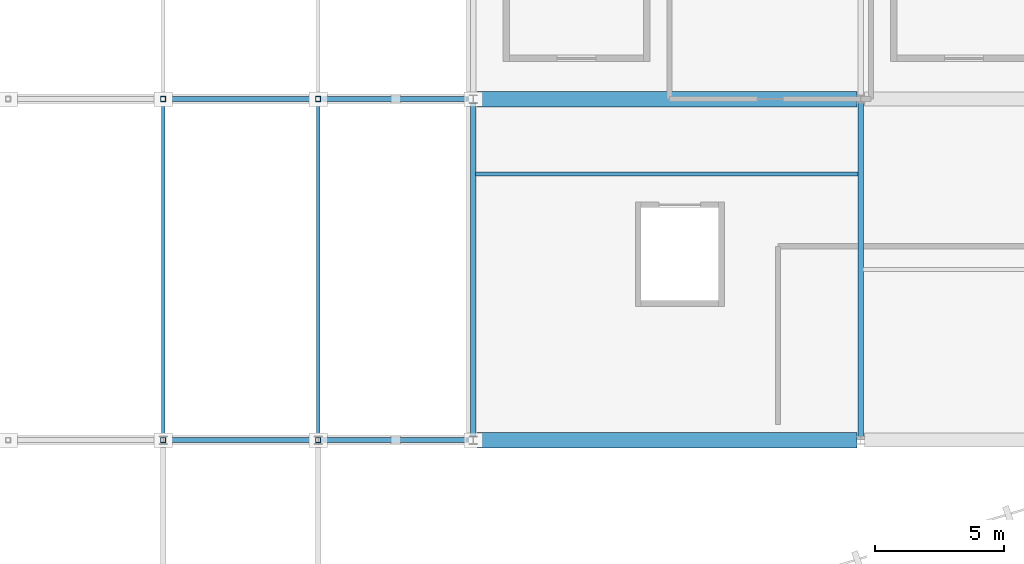
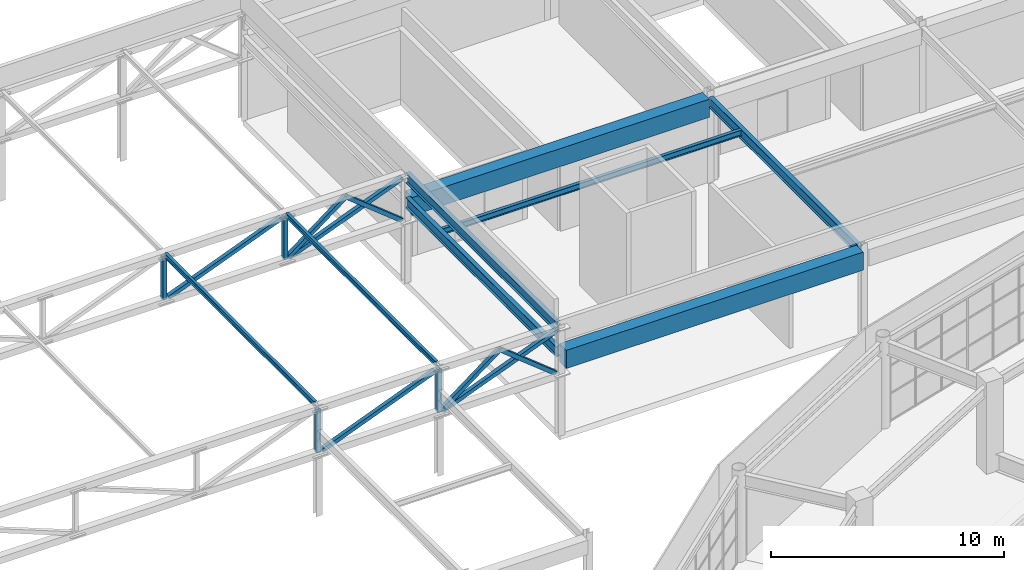
# One storey, part 54 of 122: 14 members, 6 beams.
"""IFC4 building model written with IfcOpenShell, lengths in metres."""

from ifc_helpers import new_model, si_unit, direction, frame, origin, origin_2d, place, context, subcontext, project, spatial, rectangle, hollow_rectangle, i_section, extrude, material, material_profile, profile_set, type_object, element, save


model = new_model("IFC4")

# Units and contexts
model_context = context("Model", 3, precision=1e-05, world=origin(), true_north=direction((0.0, 1.0)))
body_context = subcontext(model_context, "Body", "Model", "MODEL_VIEW")
ifc_project = project(units=[si_unit("LENGTHUNIT", "METRE"), si_unit("AREAUNIT", "SQUARE_METRE"), si_unit("VOLUMEUNIT", "CUBIC_METRE"), si_unit("PLANEANGLEUNIT", "RADIAN"), si_unit("MASSUNIT", "GRAM", prefix="KILO")], contexts=[model_context])

# Site, building, storey
site_placement = place(None, origin())
site = spatial("IfcSite", under=ifc_project, at=site_placement, CompositionType="ELEMENT")
building_placement = place(site_placement, origin())
building = spatial("IfcBuilding", under=site, at=building_placement, Name="Cuetzalor Civic Arena", CompositionType="ELEMENT")
storey_placement = place(building_placement, frame((0.0, 0.0, 16.199951171875)))
storey = spatial("IfcBuildingStorey", under=building, at=storey_placement, Name="L03", CompositionType="ELEMENT", Elevation=16.199951171875)

# Beams
ifc_material_1 = material(Name="Concrete C40/50", Category="concrete")
ifc_material_profile_1 = material_profile(ifc_material_1, rectangle(XDim=0.60009765625, YDim=0.949951171875, at=origin_2d()), Name="RC 600x950")
ifc_profile_set_1 = profile_set([ifc_material_profile_1], Name="Concrete C40/50")
beam_type_1 = type_object("IfcBeamType", Name="ConcreteFrameBeam_600x950", PredefinedType="BEAM", material=ifc_profile_set_1)
for number, where, z_axis, x_axis, name in (
    (1, (-35.857421875, 48.300048828125, 4.025146484375), (1.0, 0.0, 0.0), (0.0, 1.0, 0.0), "Frame Girder V5-L03-X1031"),
    (2, (-35.857421875, 61.5, 4.025146484375), (1.0, 0.0, 0.0), (0.0, 1.0, 0.0), "Frame Girder V5-L03-X1041"),
):
    element("IfcBeam", number, at=place(storey_placement, frame(where, z_axis=z_axis, x_axis=x_axis)), inside=storey, type_object=beam_type_1, Name=name, PredefinedType="BEAM", context=body_context, shape_type="SweptSolid", body=[
        extrude(rectangle(XDim=0.60009765625, YDim=0.949951171875, at=origin_2d()), origin(), (0.0, 0.0, 1.0), 14.71484375),
    ])

# Members
ifc_material_2 = material(Name="Steel S355", Category="steel")
ifc_material_profile_2 = material_profile(ifc_material_2, hollow_rectangle(XDim=0.199951171875, YDim=0.199951171875, WallThickness=0.010009765625, at=origin_2d()), Name="RHS 200x200x10")
ifc_profile_set_2 = profile_set([ifc_material_profile_2], Name="Steel S355")
member_type_1 = type_object("IfcMemberType", Name="PrattTrussWeb_RHS200", PredefinedType="STRUT", material=ifc_profile_set_2)
for number, where, z_axis, x_axis, name in (
    (3, (-47.800048828125, 48.300048828125, 3.300048828125), (0.930756425373, 0.0, 0.365639818164), (0.0, 1.0, 0.0), "Practice Court Pratt Diagonal T1-5"),
    (4, (-41.800048828125, 48.300048828125, 3.300048828125), (0.930756425373, 0.0, 0.365639818164), (0.0, 1.0, 0.0), "Practice Court Pratt Diagonal T1-6"),
):
    element("IfcMember", number, at=place(storey_placement, frame(where, z_axis=z_axis, x_axis=x_axis)), inside=storey, type_object=member_type_1, Name=name, PredefinedType="STRUT", context=body_context, shape_type="SweptSolid", body=[
        extrude(hollow_rectangle(XDim=0.199951171875, YDim=0.199951171875, WallThickness=0.010009765625, at=origin_2d()), origin(), (0.0, 0.0, 1.0), 6.0166015625),
    ])
for number, where, z_axis, x_axis, name in (
    (5, (-48.0, 48.300048828125, 3.280029296875), (0.0, 0.0, 1.0), (1.0, 0.0, 0.0), "Practice Court Pratt Vertical T1-4"),
    (6, (-42.0, 48.300048828125, 3.280029296875), (0.0, 0.0, 1.0), (1.0, 0.0, 0.0), "Practice Court Pratt Vertical T1-5"),
):
    element("IfcMember", number, at=place(storey_placement, frame(where, z_axis=z_axis, x_axis=x_axis)), inside=storey, type_object=member_type_1, Name=name, PredefinedType="STRUT", context=body_context, shape_type="SweptSolid", body=[
        extrude(hollow_rectangle(XDim=0.199951171875, YDim=0.199951171875, WallThickness=0.010009765625, at=origin_2d()), origin(), (0.0, 0.0, 1.0), 2.239990234375),
    ])
member_1_placement = place(storey_placement, frame((-41.89990234375, 48.300048828125, 3.300048828125), z_axis=(0.796687929917, 0.0, 0.604390885375), x_axis=(0.0, 1.0, 0.0)))
element("IfcMember", 7, at=member_1_placement, inside=storey, type_object=member_type_1, Name="Practice Court Truss End Raking Strut T1-3", PredefinedType="STRUT", context=body_context, shape_type="SweptSolid", body=[
    extrude(hollow_rectangle(XDim=0.199951171875, YDim=0.199951171875, WallThickness=0.010009765625, at=origin_2d()), origin(), (0.0, 0.0, 1.0), 3.639892578125),
])
member_2_placement = place(storey_placement, frame((-39.0, 48.300048828125, 5.5), z_axis=(0.780875572801, 0.0, -0.624686593263), x_axis=(0.0, 1.0, 0.0)))
element("IfcMember", 8, at=member_2_placement, inside=storey, type_object=member_type_1, Name="Practice Court Truss End Raking Strut T1-4", PredefinedType="STRUT", context=body_context, shape_type="SweptSolid", body=[
    extrude(hollow_rectangle(XDim=0.199951171875, YDim=0.199951171875, WallThickness=0.010009765625, at=origin_2d()), origin(), (0.0, 0.0, 1.0), 3.521728515625),
])
for number, where, z_axis, x_axis, name in (
    (9, (-47.800048828125, 61.5, 3.300048828125), (0.930756425373, 0.0, 0.365639818164), (0.0, 1.0, 0.0), "Practice Court Pratt Diagonal T2-5"),
    (10, (-41.800048828125, 61.5, 3.300048828125), (0.930756425373, 0.0, 0.365639818164), (0.0, 1.0, 0.0), "Practice Court Pratt Diagonal T2-6"),
):
    element("IfcMember", number, at=place(storey_placement, frame(where, z_axis=z_axis, x_axis=x_axis)), inside=storey, type_object=member_type_1, Name=name, PredefinedType="STRUT", context=body_context, shape_type="SweptSolid", body=[
        extrude(hollow_rectangle(XDim=0.199951171875, YDim=0.199951171875, WallThickness=0.010009765625, at=origin_2d()), origin(), (0.0, 0.0, 1.0), 6.0166015625),
    ])
for number, where, z_axis, x_axis, name in (
    (11, (-48.0, 61.5, 3.280029296875), (0.0, 0.0, 1.0), (1.0, 0.0, 0.0), "Practice Court Pratt Vertical T2-4"),
    (12, (-42.0, 61.5, 3.280029296875), (0.0, 0.0, 1.0), (1.0, 0.0, 0.0), "Practice Court Pratt Vertical T2-5"),
):
    element("IfcMember", number, at=place(storey_placement, frame(where, z_axis=z_axis, x_axis=x_axis)), inside=storey, type_object=member_type_1, Name=name, PredefinedType="STRUT", context=body_context, shape_type="SweptSolid", body=[
        extrude(hollow_rectangle(XDim=0.199951171875, YDim=0.199951171875, WallThickness=0.010009765625, at=origin_2d()), origin(), (0.0, 0.0, 1.0), 2.239990234375),
    ])
member_3_placement = place(storey_placement, frame((-41.89990234375, 61.5, 3.300048828125), z_axis=(0.796687929917, 0.0, 0.604390885375), x_axis=(0.0, 1.0, 0.0)))
element("IfcMember", 13, at=member_3_placement, inside=storey, type_object=member_type_1, Name="Practice Court Truss End Raking Strut T2-3", PredefinedType="STRUT", context=body_context, shape_type="SweptSolid", body=[
    extrude(hollow_rectangle(XDim=0.199951171875, YDim=0.199951171875, WallThickness=0.010009765625, at=origin_2d()), origin(), (0.0, 0.0, 1.0), 3.639892578125),
])
member_4_placement = place(storey_placement, frame((-39.0, 61.5, 5.5), z_axis=(0.780875572801, 0.0, -0.624686593263), x_axis=(0.0, 1.0, 0.0)))
element("IfcMember", 14, at=member_4_placement, inside=storey, type_object=member_type_1, Name="Practice Court Truss End Raking Strut T2-4", PredefinedType="STRUT", context=body_context, shape_type="SweptSolid", body=[
    extrude(hollow_rectangle(XDim=0.199951171875, YDim=0.199951171875, WallThickness=0.010009765625, at=origin_2d()), origin(), (0.0, 0.0, 1.0), 3.521728515625),
])
ifc_material_3 = material(Name="Steel S355", Category="steel")
ifc_material_profile_3 = material_profile(ifc_material_3, i_section(OverallWidth=0.14697265625, OverallDepth=0.261962890625, WebThickness=0.00634765625, FlangeThickness=0.01123046875, at=origin_2d()), Name="W250x39")
ifc_profile_set_3 = profile_set([ifc_material_profile_3], Name="Steel S355")
member_type_2 = type_object("IfcMemberType", Name="RoofDeckPurlin_W250", PredefinedType="PURLIN", material=ifc_profile_set_3)
for number, where, z_axis, x_axis, name in (
    (15, (-48.0, 48.47998046875, 5.6689453125), (0.0, 1.0, 0.0), (-1.0, 0.0, 0.0), "Practice Court Monitor Roof Purlin 3-1"),
    (16, (-42.0, 48.47998046875, 5.6689453125), (0.0, 1.0, 0.0), (-1.0, 0.0, 0.0), "Practice Court Monitor Roof Purlin 4-1"),
):
    element("IfcMember", number, at=place(storey_placement, frame(where, z_axis=z_axis, x_axis=x_axis)), inside=storey, type_object=member_type_2, Name=name, PredefinedType="PURLIN", context=body_context, shape_type="SweptSolid", body=[
        extrude(i_section(OverallWidth=0.14697265625, OverallDepth=0.261962890625, WebThickness=0.00634765625, FlangeThickness=0.01123046875, at=origin_2d()), origin(), (0.0, 0.0, 1.0), 12.840087890625),
    ])

# Beams
ifc_material_4 = material(Name="Steel S355", Category="steel")
ifc_material_profile_4 = material_profile(ifc_material_4, i_section(OverallWidth=0.166015625, OverallDepth=0.31298828125, WebThickness=0.006591796875, FlangeThickness=0.01123046875, at=origin_2d()), Name="W310x45")
ifc_profile_set_4 = profile_set([ifc_material_profile_4], Name="Steel S355")
beam_type_2 = type_object("IfcBeamType", Name="SecondaryRoofJoist_W310", PredefinedType="JOIST", material=ifc_profile_set_4)
beam_placement = place(storey_placement, frame((-35.903564453125, 58.595947265625, 4.343505859375), z_axis=(1.0, 0.0, 0.0), x_axis=(0.0, 1.0, 0.0)))
element("IfcBeam", 17, at=beam_placement, inside=storey, type_object=beam_type_2, Name="Secondary Floor Joist V5-L03-0320", PredefinedType="JOIST", context=body_context, shape_type="SweptSolid", body=[
    extrude(i_section(OverallWidth=0.166015625, OverallDepth=0.31298828125, WebThickness=0.006591796875, FlangeThickness=0.01123046875, at=origin_2d()), origin(), (0.0, 0.0, 1.0), 14.80712890625),
])
ifc_material_5 = material(Name="Steel S355", Category="steel")
ifc_material_profile_5 = material_profile(ifc_material_5, i_section(OverallWidth=0.208984375, OverallDepth=0.532958984375, WebThickness=0.01025390625, FlangeThickness=0.015625, at=origin_2d()), Name="W530x92")
ifc_profile_set_5 = profile_set([ifc_material_profile_5], Name="Steel S355")
beam_type_3 = type_object("IfcBeamType", Name="SteelCollarGirder_W530", PredefinedType="BEAM", material=ifc_profile_set_5)
for number, where, z_axis, x_axis, name in (
    (18, (-36.0, 48.444091796875, 5.533447265625), (0.0, 1.0, 0.0), (-1.0, 0.0, 0.0), "Frame Girder V5-L03-Y1065"),
    (19, (-36.0, 48.444091796875, 4.233642578125), (0.0, 1.0, 0.0), (-1.0, 0.0, 0.0), "Lower Roof Step Edge Girder V5-L03-Y1065"),
    (20, (-21.0, 48.444091796875, 4.233642578125), (0.0, 1.0, 0.0), (-1.0, 0.0, 0.0), "Frame Girder V5-L03-Y1067"),
):
    element("IfcBeam", number, at=place(storey_placement, frame(where, z_axis=z_axis, x_axis=x_axis)), inside=storey, type_object=beam_type_3, Name=name, PredefinedType="BEAM", context=body_context, shape_type="SweptSolid", body=[
        extrude(i_section(OverallWidth=0.208984375, OverallDepth=0.532958984375, WebThickness=0.01025390625, FlangeThickness=0.015625, at=origin_2d()), origin(), (0.0, 0.0, 1.0), 12.911865234375),
    ])

save(model, "model.ifc")
